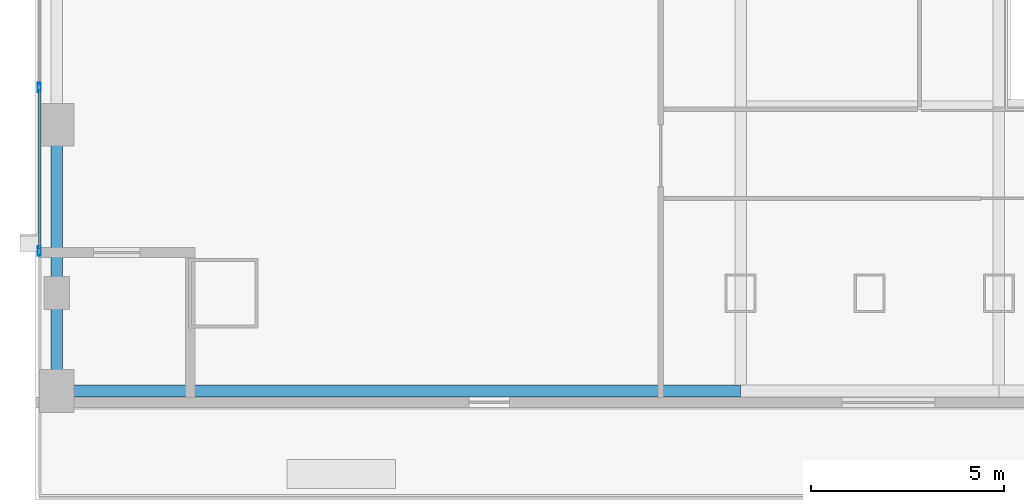
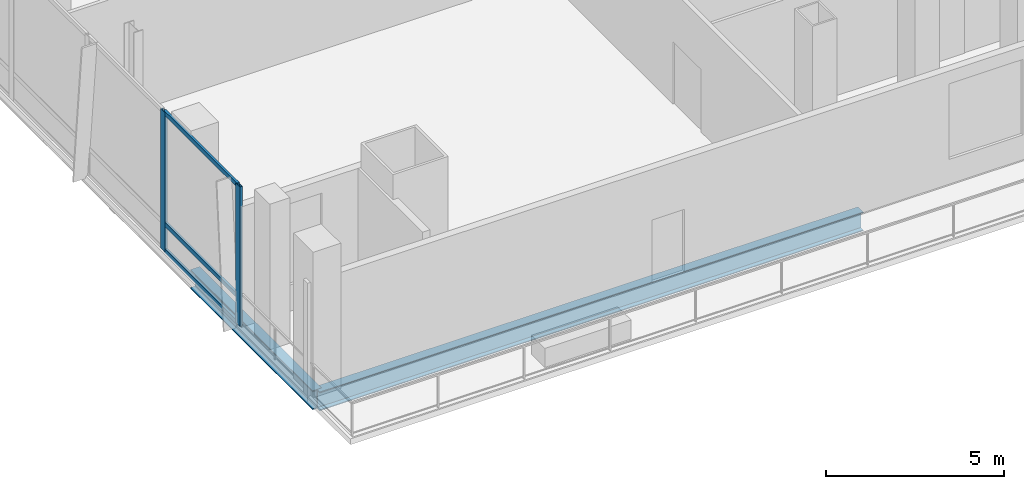
# One storey, part 5 of 26: 5 members, 2 beams, 1 element without a shape of its own.
"""IFC4 building model written with IfcOpenShell, lengths in metres."""

from ifc_helpers import new_model, si_unit, direction, frame, origin, origin_2d, place, context, subcontext, project, spatial, hollow_rectangle, i_section, extrude, material, material_profile, profile_set, type_object, element, aggregate, save


model = new_model("IFC4")

# Units and contexts
model_context = context("Model", 3, precision=1e-05, world=origin(), true_north=direction((0.0, 1.0)))
body_context = subcontext(model_context, "Body", "Model", "MODEL_VIEW")
ifc_project = project(units=[si_unit("LENGTHUNIT", "METRE"), si_unit("AREAUNIT", "SQUARE_METRE"), si_unit("VOLUMEUNIT", "CUBIC_METRE"), si_unit("PLANEANGLEUNIT", "RADIAN"), si_unit("MASSUNIT", "GRAM", prefix="KILO")], contexts=[model_context])

# Site, building, storey
site_placement = place(None, origin())
site = spatial("IfcSite", under=ifc_project, at=site_placement, CompositionType="ELEMENT")
building_placement = place(site_placement, origin())
building = spatial("IfcBuilding", under=site, at=building_placement, Name="Khoronbel Lancet Exchange", CompositionType="ELEMENT")
storey_placement = place(building_placement, frame((0.0, 0.0, 5.39990234375)))
storey = spatial("IfcBuildingStorey", under=building, at=storey_placement, Name="L01", CompositionType="ELEMENT", Elevation=5.39990234375)

# Beams
ifc_material_1 = material(Name="Steel S355", Category="steel")
ifc_material_profile_1 = material_profile(ifc_material_1, i_section(OverallWidth=0.300048828125, OverallDepth=0.64990234375, WebThickness=0.01611328125, FlangeThickness=0.031005859375, at=origin_2d()), Name="HEB 650")
ifc_profile_set_1 = profile_set([ifc_material_profile_1], Name="Steel S355")
beam_type = type_object("IfcBeamType", Name="BM-BSP1", PredefinedType="SPANDREL", material=ifc_profile_set_1)
beam_1_placement = place(storey_placement, frame((0.550048828125, 7.6201171875, -0.52490234375), z_axis=(1.0, 0.0, 0.0), x_axis=(0.0, 1.0, 0.0)))
element("IfcBeam", 1, at=beam_1_placement, inside=storey, type_object=beam_type, Name="Level L01 perimeter spandrel beam SP01", PredefinedType="SPANDREL", context=body_context, shape_type="SweptSolid", body=[
    extrude(i_section(OverallWidth=0.300048828125, OverallDepth=0.64990234375, WebThickness=0.01611328125, FlangeThickness=0.031005859375, at=origin_2d()), origin(), (0.0, 0.0, 1.0), 17.675048828125),
])
beam_2_placement = place(storey_placement, frame((0.550048828125, 14.5, -0.52490234375), z_axis=(0.0, -1.0, 0.0), x_axis=(1.0, 0.0, 0.0)))
element("IfcBeam", 2, at=beam_2_placement, inside=storey, type_object=beam_type, Name="Level L01 perimeter spandrel beam SP19", PredefinedType="SPANDREL", context=body_context, shape_type="SweptSolid", body=[
    extrude(i_section(OverallWidth=0.300048828125, OverallDepth=0.64990234375, WebThickness=0.01611328125, FlangeThickness=0.031005859375, at=origin_2d()), origin(), (0.0, 0.0, 1.0), 6.8798828125),
])

# Curtain wall, members
ifc_material_2 = material(Name="Low-E Solar Control Insulating Glass", Category="glass")
curtain_wall_type = type_object("IfcCurtainWallType", Name="CW-5", PredefinedType="NOTDEFINED", material=ifc_material_2)
curtain_wall_placement = place(storey_placement, origin())
curtain_wall = element("IfcCurtainWall", 3, at=curtain_wall_placement, inside=storey, type_object=curtain_wall_type, Name="Unitised curtain wall CW-L01-WEST", PredefinedType="NOTDEFINED")
ifc_material_3 = material(Name="Bronze-Anodised Aluminium 6063-T6", Category="aluminium")
ifc_material_profile_2 = material_profile(ifc_material_3, hollow_rectangle(XDim=0.0849609375, YDim=0.239990234375, WallThickness=0.006103515625, at=origin_2d()), Name="ALU MULLION 85x240")
ifc_profile_set_2 = profile_set([ifc_material_profile_2], Name="Bronze-Anodised Aluminium 6063-T6")
member_type_1 = type_object("IfcMemberType", Name="MEM-CWM1", PredefinedType="MULLION", material=ifc_profile_set_2)
member_1_placement = place(storey_placement, frame((0.10009765625, 15.466552734375, 0.0), z_axis=(0.0, 0.0, 1.0), x_axis=(1.0, 0.0, 0.0)))
member_1 = element("IfcMember", 4, at=member_1_placement, type_object=member_type_1, Name="CW5 mullion 9", PredefinedType="MULLION", context=body_context, shape_type="SweptSolid", body=[
    extrude(hollow_rectangle(XDim=0.0849609375, YDim=0.239990234375, WallThickness=0.006103515625, at=origin_2d()), origin(), (0.0, 0.0, 1.0), 4.800048828125),
])
member_2_placement = place(storey_placement, frame((0.10009765625, 11.242431640625, 0.0), z_axis=(0.0, 0.0, 1.0), x_axis=(1.0, 0.0, 0.0)))
member_2 = element("IfcMember", 5, at=member_2_placement, type_object=member_type_1, Name="CW5 mullion 10", PredefinedType="MULLION", context=body_context, shape_type="SweptSolid", body=[
    extrude(hollow_rectangle(XDim=0.0849609375, YDim=0.239990234375, WallThickness=0.006103515625, at=origin_2d()), origin(), (0.0, 0.0, 1.0), 4.800048828125),
])
ifc_material_profile_3 = material_profile(ifc_material_3, hollow_rectangle(XDim=0.074951171875, YDim=0.14990234375, WallThickness=0.00439453125, at=origin_2d()), Name="ALU TRANSOM 75x150")
ifc_profile_set_3 = profile_set([ifc_material_profile_3], Name="Bronze-Anodised Aluminium 6063-T6")
member_type_2 = type_object("IfcMemberType", Name="MEM-CWT2", PredefinedType="USERDEFINED", material=ifc_profile_set_3)
member_3_placement = place(storey_placement, frame((0.10009765625, 15.424072265625, 0.03759765625), z_axis=(0.0, -1.0, 0.0), x_axis=(1.0, 0.0, 0.0)))
member_3 = element("IfcMember", 6, at=member_3_placement, type_object=member_type_2, Name="CW5 transom 9.1", ObjectType="TRANSOM", PredefinedType="USERDEFINED", context=body_context, shape_type="SweptSolid", body=[
    extrude(hollow_rectangle(XDim=0.074951171875, YDim=0.14990234375, WallThickness=0.00439453125, at=origin_2d()), origin(), (0.0, 0.0, 1.0), 4.13916015625),
])
member_4_placement = place(storey_placement, frame((0.10009765625, 15.424072265625, 0.9501953125), z_axis=(0.0, -1.0, 0.0), x_axis=(1.0, 0.0, 0.0)))
member_4 = element("IfcMember", 7, at=member_4_placement, type_object=member_type_2, Name="CW5 transom 9.2", ObjectType="TRANSOM", PredefinedType="USERDEFINED", context=body_context, shape_type="SweptSolid", body=[
    extrude(hollow_rectangle(XDim=0.074951171875, YDim=0.14990234375, WallThickness=0.00439453125, at=origin_2d()), origin(), (0.0, 0.0, 1.0), 4.13916015625),
])
member_5_placement = place(storey_placement, frame((0.10009765625, 15.424072265625, 4.7626953125), z_axis=(0.0, -1.0, 0.0), x_axis=(1.0, 0.0, 0.0)))
member_5 = element("IfcMember", 8, at=member_5_placement, type_object=member_type_2, Name="CW5 transom 9.3", ObjectType="TRANSOM", PredefinedType="USERDEFINED", context=body_context, shape_type="SweptSolid", body=[
    extrude(hollow_rectangle(XDim=0.074951171875, YDim=0.14990234375, WallThickness=0.00439453125, at=origin_2d()), origin(), (0.0, 0.0, 1.0), 4.13916015625),
])
aggregate(curtain_wall, [member_1, member_2, member_3, member_4, member_5])

save(model, "model.ifc")
